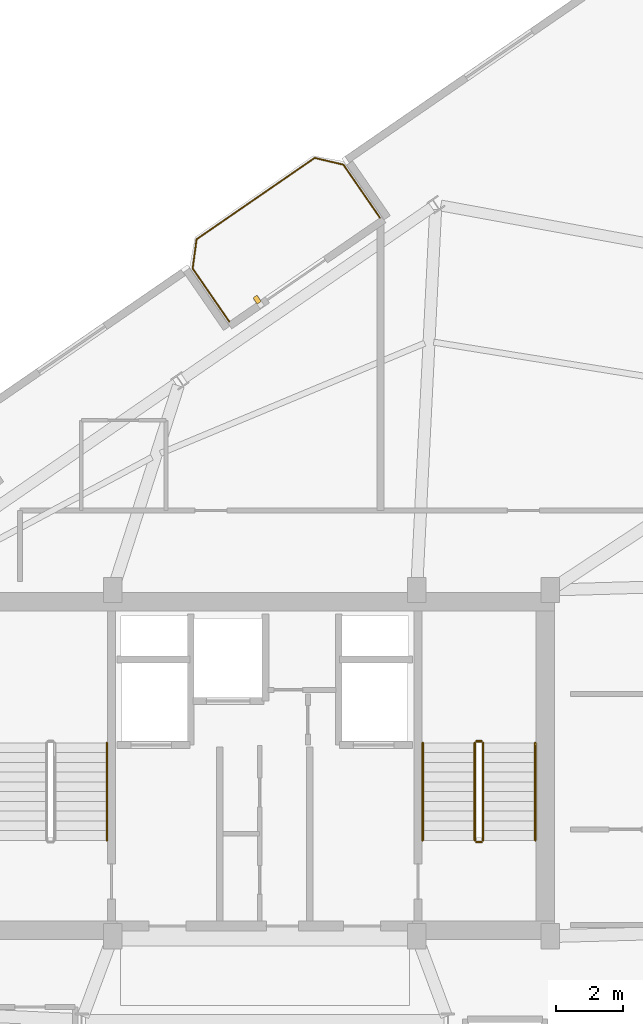
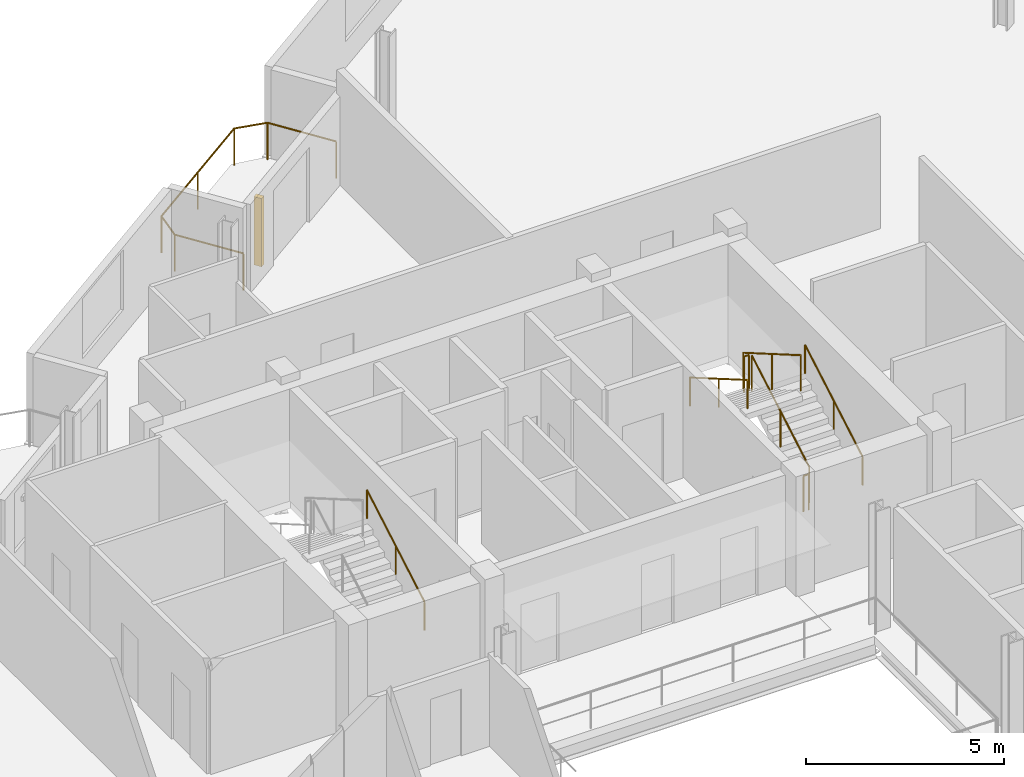
# One storey, part 22 of 22: 8 railings, 1 shading device.
"""IFC4 building model written with IfcOpenShell, lengths in metres."""

import ifcopenshell
import ifcopenshell.guid

model = None  # the IFC model being written
_history = None  # IfcOwnerHistory: only IFC2X3 demands one
_inside = {}  # id of a spatial element -> (the spatial element, [elements in it])
_under = {}  # id of a project, library or spatial element -> (it, [spatial elements below it])
_declared = {}  # id of a project -> (the project, [libraries it declares])
_typed = {}  # id of a type object -> (the type object, [elements of that type])
_made_of = {}  # id of a material, layer set ... -> (it, [elements and type objects made of it])


def new_model(schema):
    """Start an empty IFC model of exactly this schema.

    Asked for "IFC4X3", IfcOpenShell would pick the latest addendum, in which some entities
    have other attributes; the version numbers below select the first issue.
    IFC2X3 requires an IfcOwnerHistory on every rooted entity: one is made here for all.
    """
    global model, _history
    if schema == "IFC4X3":
        model = ifcopenshell.file(schema_version=(4, 3, 0, 0))
    else:
        model = ifcopenshell.file(schema=schema)
    _inside.clear()
    _under.clear()
    _declared.clear()
    _typed.clear()
    _made_of.clear()
    _history = None
    if model.schema == "IFC2X3":
        org = make("IfcOrganization", Name="unknown")
        user = make(
            "IfcPersonAndOrganization",
            ThePerson=make("IfcPerson", FamilyName="unknown"),
            TheOrganization=org,
        )
        app = make(
            "IfcApplication",
            ApplicationDeveloper=org,
            Version="unknown",
            ApplicationFullName="unknown",
            ApplicationIdentifier="unknown",
        )
        _history = make(
            "IfcOwnerHistory",
            OwningUser=user,
            OwningApplication=app,
            ChangeAction="ADDED",
            CreationDate=0,
        )
    return model


def make(cls, **values):
    """One entity of the class cls with the attributes given. An attribute that is None is left unset."""
    return model.create_entity(
        cls, **{name: value for name, value in values.items() if value is not None}
    )


def rooted(cls, **values):
    """An entity with a GlobalId (a new one), such as an element, a storey or a relation."""
    return make(cls, GlobalId=ifcopenshell.guid.new(), OwnerHistory=_history, **values)


def si_unit(unit_type, name, prefix=None):
    """IfcSIUnit, for example si_unit("LENGTHUNIT", "METRE", prefix="MILLI")."""
    return make("IfcSIUnit", UnitType=unit_type, Prefix=prefix, Name=name)


def assignment(units):
    """IfcUnitAssignment: the units of a project."""
    return None if units is None else make("IfcUnitAssignment", Units=units)


def point(xyz):
    """IfcCartesianPoint."""
    return None if xyz is None else make("IfcCartesianPoint", Coordinates=xyz)


def direction(xyz):
    """IfcDirection."""
    return None if xyz is None else make("IfcDirection", DirectionRatios=xyz)


def frame(location, z_axis=None, x_axis=None):
    """IfcAxis2Placement3D, a coordinate frame: its origin and axes. An axis left out is left unset."""
    return make(
        "IfcAxis2Placement3D",
        Location=point(location),
        Axis=direction(z_axis),
        RefDirection=direction(x_axis),
    )


def frame_2d(location, x_axis=None):
    """IfcAxis2Placement2D, a coordinate frame in the plane: its origin and x axis."""
    return make(
        "IfcAxis2Placement2D", Location=point(location), RefDirection=direction(x_axis)
    )


def origin():
    """The frame at (0, 0, 0) with its axes left unset."""
    return frame((0.0, 0.0, 0.0))


def origin_2d():
    """The frame at (0, 0) in the plane with its x axis left unset."""
    return frame_2d((0.0, 0.0))


def place(relative_to, where):
    """IfcLocalPlacement: puts the frame where relative to a parent placement (None: the world)."""
    return make(
        "IfcLocalPlacement", PlacementRelTo=relative_to, RelativePlacement=where
    )


def context(
    kind, dimensions, precision=None, world=None, true_north=None, identifier=None
):
    """IfcGeometricRepresentationContext, for example the 3D "Model" context."""
    return make(
        "IfcGeometricRepresentationContext",
        ContextIdentifier=identifier,
        ContextType=kind,
        CoordinateSpaceDimension=dimensions,
        Precision=precision,
        WorldCoordinateSystem=world,
        TrueNorth=true_north,
    )


def subcontext(parent, identifier, kind, view, scale=None):
    """IfcGeometricRepresentationSubContext, for example "Body" below "Model"."""
    return make(
        "IfcGeometricRepresentationSubContext",
        ContextIdentifier=identifier,
        ContextType=kind,
        ParentContext=parent,
        TargetScale=scale,
        TargetView=view,
    )


def project(units=None, contexts=None):
    """IfcProject with its units and contexts."""
    return rooted(
        "IfcProject",
        Name="project",
        RepresentationContexts=contexts,
        UnitsInContext=assignment(units),
    )


def spatial(cls, under=None, at=None, **own):
    """A site, building, storey or space (cls), placed at a placement, below another one or the project."""
    s = rooted(cls, ObjectPlacement=at, **own)
    if under is not None:
        _under.setdefault(under.id(), (under, []))[1].append(s)
    return s


def profile(cls, at=None, kind="AREA", **sizes):
    """A parametric profile (cls). Its sizes go by their IFC names, for example OverallWidth=200.0."""
    return make(cls, ProfileType=kind, Position=at, **sizes)


def rectangle(**sizes):
    """IfcRectangleProfileDef."""
    return profile("IfcRectangleProfileDef", **sizes)


def circle(**sizes):
    """IfcCircleProfileDef."""
    return profile("IfcCircleProfileDef", **sizes)


def extrude(swept, where, along, depth):
    """IfcExtrudedAreaSolid: the profile swept, set in the frame where, extruded along a direction by depth."""
    return make(
        "IfcExtrudedAreaSolid",
        SweptArea=swept,
        Position=where,
        ExtrudedDirection=direction(along),
        Depth=depth,
    )


def shape(context_of_items, identifier, shape_type, items):
    """IfcShapeRepresentation: the items that make up one representation, for example the "Body"."""
    return make(
        "IfcShapeRepresentation",
        ContextOfItems=context_of_items,
        RepresentationIdentifier=identifier,
        RepresentationType=shape_type,
        Items=items,
    )


def source(mapping_origin, context_of_items, identifier, shape_type, items):
    """IfcRepresentationMap: a shape defined once, which mapped items show again and again."""
    return make(
        "IfcRepresentationMap",
        MappingOrigin=mapping_origin,
        MappedRepresentation=shape(context_of_items, identifier, shape_type, items),
    )


def transform(
    local_origin,
    x_axis=None,
    y_axis=None,
    z_axis=None,
    scale=None,
    scale2=None,
    scale3=None,
    uniform=True,
):
    """IfcCartesianTransformationOperator3D, or its non-uniform kind. x_axis, y_axis, z_axis: its Axis1, 2, 3."""
    if uniform:
        return make(
            "IfcCartesianTransformationOperator3D",
            Axis1=direction(x_axis),
            Axis2=direction(y_axis),
            LocalOrigin=point(local_origin),
            Scale=scale,
            Axis3=direction(z_axis),
        )
    return make(
        "IfcCartesianTransformationOperator3DnonUniform",
        Axis1=direction(x_axis),
        Axis2=direction(y_axis),
        LocalOrigin=point(local_origin),
        Scale=scale,
        Axis3=direction(z_axis),
        Scale2=scale2,
        Scale3=scale3,
    )


def mapped(mapping_source, mapping_target):
    """IfcMappedItem: shows the shape of a source again, moved by a transform."""
    return make(
        "IfcMappedItem", MappingSource=mapping_source, MappingTarget=mapping_target
    )


def material(Name=None, Category=None):
    """IfcMaterial."""
    return make("IfcMaterial", Name=Name, Category=Category)


def made_of(thing, what):
    """Note that an element or type object is made of a material, layer set ...; save() writes the relation."""
    if what is not None:
        _made_of.setdefault(what.id(), (what, []))[1].append(thing)
    return thing


def type_object(cls, material=None, **own):
    """A type object (cls), such as IfcWallType, which elements share."""
    return made_of(rooted(cls, **own), material)


def element(
    cls,
    number,
    at=None,
    inside=None,
    cuts=None,
    type_object=None,
    material=None,
    context=None,
    identifier="Body",
    shape_type=None,
    held_by="IfcProductDefinitionShape",
    body=None,
    shapes=None,
    **own,
):
    """One element of the class cls, such as IfcWall. Its Tag is "e" and its number.

    at: its placement. inside: the storey or other place that contains it. cuts: it is an
    opening in that element (IfcRelVoidsElement). A single representation is given by context,
    identifier, shape_type and body (its items); several are given by shapes. held_by: the class
    of the entity that holds the representations. save() writes the other relations.
    """
    e = rooted(cls, Tag="e%d" % number, ObjectPlacement=at, **own)
    if body is not None:
        shapes = [shape(context, identifier, shape_type, body)]
    if shapes is not None:
        e.Representation = make(held_by, Representations=shapes)
    if inside is not None:
        _inside.setdefault(inside.id(), (inside, []))[1].append(e)
    if cuts is not None:
        rooted(
            "IfcRelVoidsElement", RelatingBuildingElement=cuts, RelatedOpeningElement=e
        )
    if type_object is not None:
        _typed.setdefault(type_object.id(), (type_object, []))[1].append(e)
    return made_of(e, material)


def aggregate(whole, parts):
    """IfcRelAggregates: a whole, such as a stair, and the parts it consists of."""
    return rooted("IfcRelAggregates", RelatingObject=whole, RelatedObjects=parts)


def save(model, path):
    """Write the relations noted so far, then the file.

    IfcRelAggregates (storeys below a building ...), IfcRelContainedInSpatialStructure (elements
    in a storey), IfcRelDefinesByType, IfcRelAssociatesMaterial and IfcRelDeclares: one each for
    every whole, place, type object, material and project.
    """
    for whole, parts in _under.values():
        aggregate(whole, parts)
    for where, things in _inside.values():
        rooted(
            "IfcRelContainedInSpatialStructure",
            RelatedElements=things,
            RelatingStructure=where,
        )
    for kind, things in _typed.values():
        rooted("IfcRelDefinesByType", RelatedObjects=things, RelatingType=kind)
    for what, things in _made_of.values():
        rooted("IfcRelAssociatesMaterial", RelatedObjects=things, RelatingMaterial=what)
    for by, libraries in _declared.values():
        rooted("IfcRelDeclares", RelatingContext=by, RelatedDefinitions=libraries)
    model.write(path)


model = new_model("IFC4")

# Units and contexts
model_context = context("Model", 3, precision=1e-05, world=origin(), true_north=direction((0.0, 1.0)))
body_context = subcontext(model_context, "Body", "Model", "MODEL_VIEW")
ifc_project = project(units=[si_unit("LENGTHUNIT", "METRE"), si_unit("AREAUNIT", "SQUARE_METRE"), si_unit("VOLUMEUNIT", "CUBIC_METRE"), si_unit("PLANEANGLEUNIT", "RADIAN"), si_unit("MASSUNIT", "GRAM", prefix="KILO")], contexts=[model_context])

# Site, building, storey
site_placement = place(None, origin())
site = spatial("IfcSite", under=ifc_project, at=site_placement, CompositionType="ELEMENT")
building_placement = place(site_placement, origin())
building = spatial("IfcBuilding", under=site, at=building_placement, Name="Varnelok Gate Tower", CompositionType="ELEMENT")
storey_placement = place(building_placement, frame((0.0, 0.0, 284.10009765625)))
storey = spatial("IfcBuildingStorey", under=building, at=storey_placement, Name="L73", CompositionType="ELEMENT", Elevation=284.10009765625)

# Railings
ifc_material_1 = material(Name="Low-E Laminated Double Glazing IGU", Category="glass")
railing_type_1 = type_object("IfcRailingType", Name="RL-BALC-1150", PredefinedType="BALUSTRADE", material=ifc_material_1)
railing_1_placement = place(storey_placement, frame((38.143310546875, 47.036376953125, 0.0)))
element("IfcRailing", 1, at=railing_1_placement, inside=storey, type_object=railing_type_1, Name="L73 North Terrace Balustrade 6", PredefinedType="BALUSTRADE", context=body_context, shape_type="SweptSolid", body=[
    extrude(circle(Radius=0.02392578125, at=origin_2d()), frame((0.0, 0.0, 1.1259765625), z_axis=(-0.567284155424, 0.82352212296, 0.0), x_axis=(-0.82352212296, -0.567284155424, 0.0)), (0.0, 0.0, 1.0), 1.919921875),
    extrude(circle(Radius=0.02392578125, at=origin_2d()), frame((-1.089111328125, 1.5810546875, 1.1259765625), z_axis=(0.133238627421, 0.991083986433, 0.0), x_axis=(-0.991083986433, 0.133238627421, 0.0)), (0.0, 0.0, 1.0), 0.877685546875),
    extrude(circle(Radius=0.02392578125, at=origin_2d()), frame((-0.97216796875, 2.450927734375, 1.1259765625), z_axis=(0.823530765458, 0.56727160897, 0.0), x_axis=(-0.56727160897, 0.823530765458, 0.0)), (0.0, 0.0, 1.0), 4.26708984375),
    extrude(circle(Radius=0.02392578125, at=origin_2d()), frame((2.5419921875, 4.87158203125, 1.1259765625), z_axis=(0.973573806257, -0.228372598553, 0.0), x_axis=(0.228372598553, 0.973573806257, 0.0)), (0.0, 0.0, 1.0), 0.877685546875),
    extrude(circle(Radius=0.02392578125, at=origin_2d()), frame((3.396484375, 4.671142578125, 1.1259765625), z_axis=(0.567224752248, -0.823563039747, 0.0), x_axis=(0.823563039747, 0.567224752248, 0.0)), (0.0, 0.0, 1.0), 1.920166015625),
    extrude(circle(Radius=0.02099609375, at=origin_2d()), origin(), (0.0, 0.0, 1.0), 1.101806640625),
    extrude(circle(Radius=0.02099609375, at=origin_2d()), frame((-1.089111328125, 1.5810546875, 0.0)), (0.0, 0.0, 1.0), 1.101806640625),
    extrude(circle(Radius=0.02099609375, at=origin_2d()), frame((-0.97216796875, 2.450927734375, 0.0)), (0.0, 0.0, 1.0), 1.101806640625),
    extrude(circle(Radius=0.02099609375, at=origin_2d()), frame((0.784912109375, 3.6611328125, 0.0)), (0.0, 0.0, 1.0), 1.101806640625),
    extrude(circle(Radius=0.02099609375, at=origin_2d()), frame((2.5419921875, 4.87158203125, 0.0)), (0.0, 0.0, 1.0), 1.101806640625),
    extrude(circle(Radius=0.02099609375, at=origin_2d()), frame((3.396484375, 4.671142578125, 0.0)), (0.0, 0.0, 1.0), 1.101806640625),
    extrude(circle(Radius=0.02099609375, at=origin_2d()), frame((4.485595703125, 3.08984375, 0.0)), (0.0, 0.0, 1.0), 1.101806640625),
])
ifc_material_2 = material(Name="Brushed Stainless Steel AISI 316", Category="steel")
railing_type_2 = type_object("IfcRailingType", Name="RL-HANDRAIL-900", PredefinedType="HANDRAIL", material=ifc_material_2)
for number, where, name in (
    (2, (34.5, 31.60009765625, 0.16796875), "L73 ST-1 stair handrail 1"),
    (3, (47.25, 31.60009765625, 0.16796875), "L73 ST-2 stair handrail 1"),
):
    element("IfcRailing", number, at=place(storey_placement, frame(where)), inside=storey, type_object=railing_type_2, Name=name, PredefinedType="HANDRAIL", context=body_context, shape_type="SweptSolid", body=[
        extrude(circle(Radius=0.02392578125, at=origin_2d()), frame((0.0, 0.0, 0.8759765625), z_axis=(0.0, 0.865038774852, 0.501705010941), x_axis=(-1.0, 0.0, 0.0)), (0.0, 0.0, 1.0), 3.352294921875),
        extrude(circle(Radius=0.02099609375, at=origin_2d()), origin(), (0.0, 0.0, 1.0), 0.851806640625),
        extrude(circle(Radius=0.02099609375, at=origin_2d()), frame((0.0, 1.449951171875, 0.8408203125)), (0.0, 0.0, 1.0), 0.851806640625),
        extrude(circle(Radius=0.02099609375, at=origin_2d()), frame((0.0, 2.89990234375, 1.681884765625)), (0.0, 0.0, 1.0), 0.851806640625),
    ])
railing_2_placement = place(storey_placement, frame((43.89990234375, 34.5, 2.01806640625)))
element("IfcRailing", 4, at=railing_2_placement, inside=storey, type_object=railing_type_2, Name="L73 ST-2 stair handrail 2", PredefinedType="HANDRAIL", context=body_context, shape_type="SweptSolid", body=[
    extrude(circle(Radius=0.02392578125, at=origin_2d()), frame((0.0, 0.0, 0.8759765625), z_axis=(0.0, -0.865038774852, 0.501705010941), x_axis=(1.0, 0.0, 0.0)), (0.0, 0.0, 1.0), 3.352294921875),
    extrude(circle(Radius=0.02099609375, at=origin_2d()), origin(), (0.0, 0.0, 1.0), 0.851806640625),
    extrude(circle(Radius=0.02099609375, at=origin_2d()), frame((0.0, -1.449951171875, 0.8408203125)), (0.0, 0.0, 1.0), 0.851806640625),
    extrude(circle(Radius=0.02099609375, at=origin_2d()), frame((0.0, -2.89990234375, 1.681884765625)), (0.0, 0.0, 1.0), 0.851806640625),
])
ifc_material_3 = material(Name="Galvanized Steel Grade S350GD", Category="steel")
railing_type_3 = type_object("IfcRailingType", Name="RL-STAIR-GUARD1120", PredefinedType="GUARDRAIL", material=ifc_material_3)
railing_3_placement = place(storey_placement, frame((45.699951171875, 31.60009765625, 0.16796875)))
element("IfcRailing", 5, at=railing_3_placement, inside=storey, type_object=railing_type_3, Name="L73 ST-2 stair guard 1", PredefinedType="GUARDRAIL", context=body_context, shape_type="SweptSolid", body=[
    extrude(circle(Radius=0.02392578125, at=origin_2d()), frame((0.0, 0.0, 1.09619140625), z_axis=(0.0, 0.865038774852, 0.501705010941), x_axis=(-1.0, 0.0, 0.0)), (0.0, 0.0, 1.0), 3.352294921875),
    extrude(circle(Radius=0.02099609375, at=origin_2d()), origin(), (0.0, 0.0, 1.0), 1.072021484375),
    extrude(circle(Radius=0.02099609375, at=origin_2d()), frame((0.0, 1.449951171875, 0.8408203125)), (0.0, 0.0, 1.0), 1.072021484375),
    extrude(circle(Radius=0.02099609375, at=origin_2d()), frame((0.0, 2.89990234375, 1.681884765625)), (0.0, 0.0, 1.0), 1.072021484375),
])
railing_4_placement = place(storey_placement, frame((45.64990234375, 34.550048828125, 1.849853515625)))
element("IfcRailing", 6, at=railing_4_placement, inside=storey, type_object=railing_type_3, Name="L73 ST-2 stair guard 2", PredefinedType="GUARDRAIL", context=body_context, shape_type="SweptSolid", body=[
    extrude(circle(Radius=0.02392578125, at=origin_2d()), frame((0.0, 0.0, 1.09619140625), z_axis=(-1.0, 0.0, 0.0), x_axis=(0.0, -1.0, 0.0)), (0.0, 0.0, 1.0), 0.14990234375),
    extrude(circle(Radius=0.02099609375, at=origin_2d()), origin(), (0.0, 0.0, 1.0), 1.072021484375),
    extrude(circle(Radius=0.02099609375, at=origin_2d()), frame((-0.14990234375, 0.0, 0.0)), (0.0, 0.0, 1.0), 1.072021484375),
])
railing_5_placement = place(storey_placement, frame((45.449951171875, 34.5, 2.01806640625)))
element("IfcRailing", 7, at=railing_5_placement, inside=storey, type_object=railing_type_3, Name="L73 ST-2 stair guard 3", PredefinedType="GUARDRAIL", context=body_context, shape_type="SweptSolid", body=[
    extrude(circle(Radius=0.02392578125, at=origin_2d()), frame((0.0, 0.0, 1.09619140625), z_axis=(0.0, -0.865038774852, 0.501705010941), x_axis=(1.0, 0.0, 0.0)), (0.0, 0.0, 1.0), 3.352294921875),
    extrude(circle(Radius=0.02099609375, at=origin_2d()), origin(), (0.0, 0.0, 1.0), 1.072021484375),
    extrude(circle(Radius=0.02099609375, at=origin_2d()), frame((0.0, -1.449951171875, 0.8408203125)), (0.0, 0.0, 1.0), 1.072021484375),
    extrude(circle(Radius=0.02099609375, at=origin_2d()), frame((0.0, -2.89990234375, 1.681884765625)), (0.0, 0.0, 1.0), 1.072021484375),
])
railing_6_placement = place(storey_placement, frame((45.64990234375, 31.550048828125, 0.0)))
element("IfcRailing", 8, at=railing_6_placement, inside=storey, type_object=railing_type_3, Name="L73 ST-2 stair guard 4", PredefinedType="GUARDRAIL", context=body_context, shape_type="SweptSolid", body=[
    extrude(circle(Radius=0.02392578125, at=origin_2d()), frame((0.0, 0.0, 1.09619140625), z_axis=(-1.0, 0.0, 0.0), x_axis=(0.0, -1.0, 0.0)), (0.0, 0.0, 1.0), 0.14990234375),
    extrude(circle(Radius=0.02099609375, at=origin_2d()), origin(), (0.0, 0.0, 1.0), 1.072021484375),
    extrude(circle(Radius=0.02099609375, at=origin_2d()), frame((-0.14990234375, 0.0, 0.0)), (0.0, 0.0, 1.0), 1.072021484375),
])

# Shading device
ifc_material_4 = material(Name="Glazed Architectural Terracotta Ceramic", Category="masonry")
shading_device_type = type_object("IfcShadingDeviceType", Name="SHD-TERRA-FIN", PredefinedType="USERDEFINED", material=ifc_material_4)
shared_shape = source(origin(), body_context, "Body", "SweptSolid", [
    extrude(rectangle(XDim=0.139892578125, YDim=0.219970703125, at=origin_2d()), origin(), (0.0, 0.0, 1.0), 2.10009765625),
])
shading_device_placement = place(storey_placement, frame((38.970947265625, 47.69140625, 0.099853515625), z_axis=(0.0, 0.0, 1.0), x_axis=(0.823532597628, 0.567268949127, 0.0)))
element("IfcShadingDevice", 9, at=shading_device_placement, inside=storey, type_object=shading_device_type, Name="L73 Terracotta Ceramic Baguette Sunscreen 6.1", ObjectType="BAGUETTE", PredefinedType="USERDEFINED", context=body_context, shape_type="MappedRepresentation", body=[
    mapped(shared_shape, transform((0.0, 0.0, 0.0), scale=1.0)),
])

save(model, "model.ifc")
